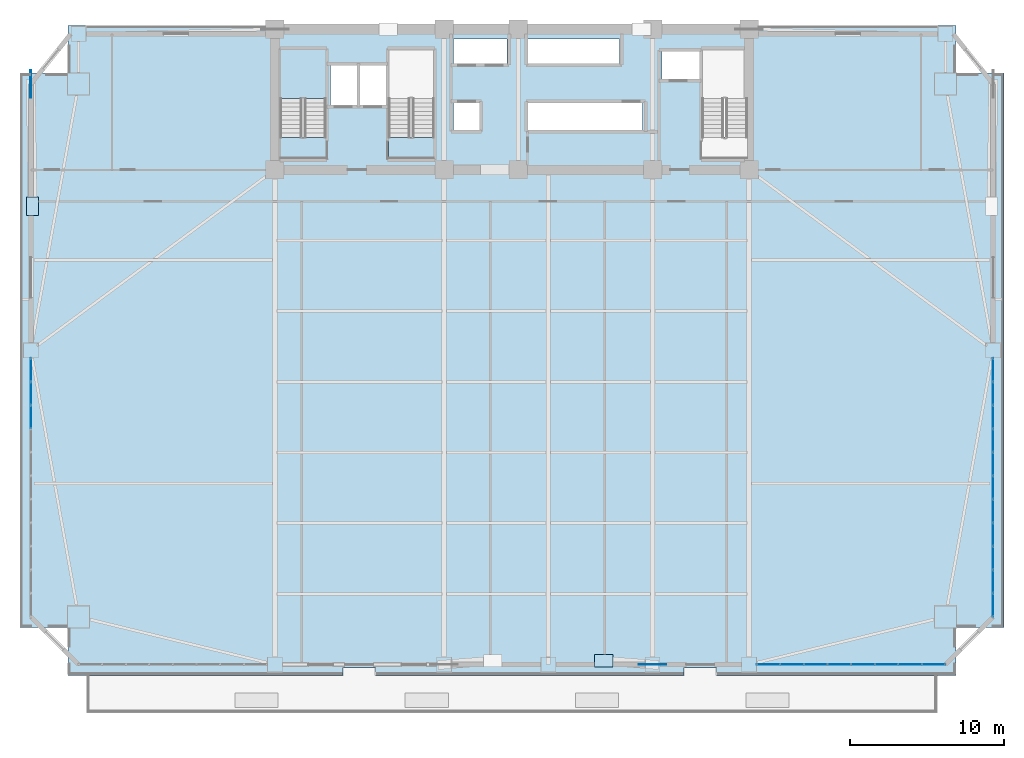
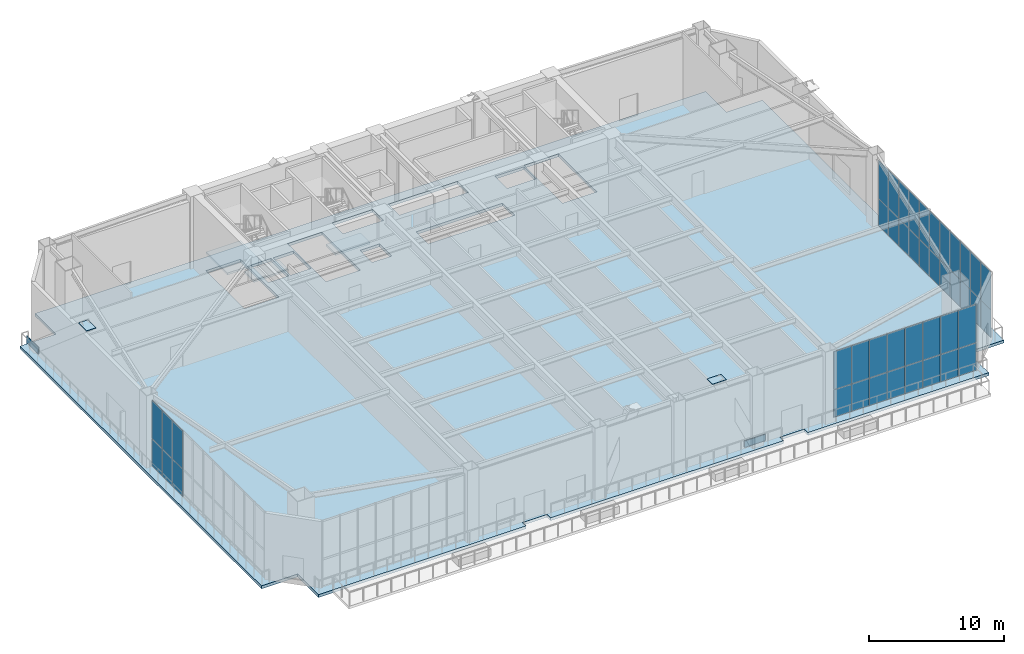
# One storey, part 13 of 22: 48 plates, 4 slabs, 5 elements without a shape of their own.
"""IFC4 building model written with IfcOpenShell, lengths in metres."""

from ifc_helpers import new_model, si_unit, direction, frame, origin, origin_2d, place, context, subcontext, project, spatial, polyline, rectangle, outline, extrude, source, transform, mapped, material, layer, layer_set, type_object, element, aggregate, save


model = new_model("IFC4")

# Units and contexts
model_context = context("Model", 3, precision=1e-05, world=origin(), true_north=direction((0.0, 1.0)))
body_context = subcontext(model_context, "Body", "Model", "MODEL_VIEW")
ifc_project = project(units=[si_unit("LENGTHUNIT", "METRE"), si_unit("AREAUNIT", "SQUARE_METRE"), si_unit("VOLUMEUNIT", "CUBIC_METRE"), si_unit("PLANEANGLEUNIT", "RADIAN"), si_unit("MASSUNIT", "GRAM", prefix="KILO")], contexts=[model_context])

# Site, building, storey
site_placement = place(None, origin())
site = spatial("IfcSite", under=ifc_project, at=site_placement, CompositionType="ELEMENT")
building_placement = place(site_placement, origin())
building = spatial("IfcBuilding", under=site, at=building_placement, Name="Giltprow Tower", CompositionType="ELEMENT")
storey_placement = place(building_placement, frame((0.0, 0.0, 72.800048828125)))
storey = spatial("IfcBuildingStorey", under=building, at=storey_placement, Name="L18", CompositionType="ELEMENT", Elevation=72.800048828125)

# Slab
ifc_material_1 = material(Name="Concrete C40", Category="concrete")
ifc_layer_1 = layer(ifc_material_1, 0.260009765625, Name="Concrete C40")
ifc_layer_set_1 = layer_set([ifc_layer_1], Name="Concrete C40")
slab_type_1 = type_object("IfcSlabType", Name="SLB-SG-260", PredefinedType="FLOOR", material=ifc_layer_set_1)
slab_1_placement = place(storey_placement, frame((0.0, 0.0, -0.260009765625)))
element("IfcSlab", 1, at=slab_1_placement, inside=storey, type_object=slab_type_1, Name="L18 Structural Composite Floor Slab", PredefinedType="FLOOR", context=body_context, shape_type="SweptSolid", body=[
    extrude(outline(polyline([(6.43603515625, 4.708984375), (6.43603515625, 7.804931640625), (3.340087890625, 7.804931640625), (3.340087890625, 43.7041015625), (6.43603515625, 43.7041015625), (6.43603515625, 46.800048828125), (63.965087890625, 46.800048828125), (63.965087890625, 43.7041015625), (67.06103515625, 43.7041015625), (67.06103515625, 7.804931640625), (63.965087890625, 7.804931640625), (63.965087890625, 4.708984375), (48.449951171875, 4.708984375), (48.449951171875, 5.22900390625), (46.35009765625, 5.22900390625), (46.35009765625, 4.708984375), (26.35009765625, 4.708984375), (26.35009765625, 5.22900390625), (24.25, 5.22900390625), (24.25, 4.708984375), (6.43603515625, 4.708984375)]), holes=[polyline([(33.10009765625, 41.800048828125), (31.419921875, 41.800048828125), (31.419921875, 40.0), (33.10009765625, 40.0), (33.10009765625, 41.800048828125)]), polyline([(23.159912109375, 39.570068359375), (23.159912109375, 45.25), (20.199951171875, 45.25), (20.199951171875, 39.570068359375), (23.159912109375, 39.570068359375)]), polyline([(30.159912109375, 45.25), (27.199951171875, 45.25), (27.199951171875, 39.570068359375), (30.159912109375, 39.570068359375), (30.159912109375, 45.25)]), polyline([(25.169921875, 41.60009765625), (25.169921875, 44.199951171875), (23.449951171875, 44.199951171875), (23.449951171875, 41.60009765625), (25.169921875, 41.60009765625)]), polyline([(27.10009765625, 41.60009765625), (27.10009765625, 44.199951171875), (25.35009765625, 44.199951171875), (25.35009765625, 41.60009765625), (27.10009765625, 41.60009765625)]), polyline([(43.659912109375, 40.0), (43.659912109375, 41.800048828125), (36.239990234375, 41.800048828125), (36.239990234375, 40.0), (43.659912109375, 40.0)]), polyline([(50.4599609375, 39.570068359375), (50.4599609375, 45.25), (47.5, 45.25), (47.5, 39.570068359375), (50.4599609375, 39.570068359375)]), polyline([(47.3798828125, 45.10009765625), (44.919921875, 45.10009765625), (44.919921875, 43.300048828125), (47.3798828125, 43.300048828125), (47.3798828125, 45.10009765625)]), polyline([(34.8798828125, 44.300048828125), (34.8798828125, 45.919921875), (31.419921875, 45.919921875), (31.419921875, 44.300048828125), (34.8798828125, 44.300048828125)]), polyline([(42.169921875, 44.300048828125), (42.169921875, 45.919921875), (36.239990234375, 45.919921875), (36.239990234375, 44.300048828125), (42.169921875, 44.300048828125)])]), origin(), (0.0, 0.0, 1.0), 0.260009765625),
])

# Stair, slabs
stair_type_1 = type_object("IfcStairType", Name="STR-ST-1", PredefinedType="HALF_TURN_STAIR", material=ifc_material_1)
stair_1_placement = place(storey_placement, origin())
stair_1 = element("IfcStair", 2, at=stair_1_placement, inside=storey, type_object=stair_type_1, Name="L18 Core Exit Stair ST-1", PredefinedType="HALF_TURN_STAIR")
ifc_layer_2 = layer(ifc_material_1, 0.179931640625, Name="Concrete C40")
ifc_layer_set_2 = layer_set([ifc_layer_2], Name="Concrete C40")
slab_type_2 = type_object("IfcSlabType", Name="SLD-ST-1", PredefinedType="LANDING", material=ifc_layer_set_2)
slab_2_placement = place(storey_placement, frame((0.0, 0.0, 1.52001953125)))
slab_2 = element("IfcSlab", 3, at=slab_2_placement, type_object=slab_type_2, Name="ST-1 landing 1", PredefinedType="LANDING", context=body_context, shape_type="SweptSolid", body=[
    extrude(outline(polyline([(23.159912109375, 42.070068359375), (23.159912109375, 45.25), (20.199951171875, 45.25), (20.199951171875, 42.070068359375), (23.159912109375, 42.070068359375)])), origin(), (0.0, 0.0, 1.0), 0.179931640625),
])
slab_3_placement = place(storey_placement, frame((0.0, 0.0, 3.219970703125)))
slab_3 = element("IfcSlab", 4, at=slab_3_placement, type_object=slab_type_2, Name="ST-1 landing 2", PredefinedType="LANDING", context=body_context, shape_type="SweptSolid", body=[
    extrude(outline(polyline([(23.159912109375, 38.14990234375), (23.159912109375, 39.550048828125), (20.199951171875, 39.550048828125), (20.199951171875, 38.14990234375), (23.159912109375, 38.14990234375)])), origin(), (0.0, 0.0, 1.0), 0.179931640625),
])
aggregate(stair_1, [slab_2, slab_3])

# Stair, slab
stair_type_2 = type_object("IfcStairType", Name="STR-ST-2", PredefinedType="HALF_TURN_STAIR", material=ifc_material_1)
stair_2_placement = place(storey_placement, origin())
stair_2 = element("IfcStair", 5, at=stair_2_placement, inside=storey, type_object=stair_type_2, Name="L18 Core Exit Stair ST-2", PredefinedType="HALF_TURN_STAIR")
ifc_layer_3 = layer(ifc_material_1, 0.18798828125, Name="Concrete C40")
ifc_layer_set_3 = layer_set([ifc_layer_3], Name="Concrete C40")
slab_type_3 = type_object("IfcSlabType", Name="SLD-ST-2", PredefinedType="LANDING", material=ifc_layer_set_3)
slab_4_placement = place(storey_placement, frame((0.0, 0.0, 3.2119140625)))
slab_4 = element("IfcSlab", 6, at=slab_4_placement, type_object=slab_type_3, Name="ST-2 landing 2", PredefinedType="LANDING", context=body_context, shape_type="SweptSolid", body=[
    extrude(outline(polyline([(30.159912109375, 38.14990234375), (30.159912109375, 39.550048828125), (27.199951171875, 39.550048828125), (27.199951171875, 38.14990234375), (30.159912109375, 38.14990234375)])), origin(), (0.0, 0.0, 1.0), 0.18798828125),
])
aggregate(stair_2, [slab_4])

# Plates
ifc_material_2 = material(Name="Structural steel Q420GJC", Category="steel")
plate_type_1 = type_object("IfcPlateType", Name="PLT-NODE-MBN1", PredefinedType="USERDEFINED", material=ifc_material_2)
shared_shape_1 = source(origin(), body_context, "Body", "SweptSolid", [
    extrude(rectangle(XDim=1.800048828125, YDim=0.050048828125, at=origin_2d()), origin(), (0.0, 0.0, 1.0), 1.14990234375),
])
for number, where, z_axis, x_axis, name in (
    (7, (44.300048828125, 5.408935546875, -0.574951171875), (0.0, 0.0, 1.0), (1.0, 0.0, 0.0), "Mega-Brace Node L18-S-RA"),
    (8, (4.0400390625, 43.00390625, -0.574951171875), (0.0, 0.0, 1.0), (0.0, 1.0, 0.0), "Mega-Brace Node L18-W-RA"),
):
    element("IfcPlate", number, at=place(storey_placement, frame(where, z_axis=z_axis, x_axis=x_axis)), inside=storey, type_object=plate_type_1, Name=name, ObjectType="GUSSET", PredefinedType="USERDEFINED", context=body_context, shape_type="MappedRepresentation", body=[
        mapped(shared_shape_1, transform((0.0, 0.0, 0.0), x_axis=(1.0, 0.0, 0.0), y_axis=(0.0, 1.0, 0.0), z_axis=(0.0, 0.0, 1.0), scale=1.0)),
    ])
plate_type_2 = type_object("IfcPlateType", Name="PLT-CAP-SEAL", PredefinedType="USERDEFINED", material=ifc_material_2)
shared_shape_2 = source(origin(), body_context, "Body", "SweptSolid", [
    extrude(rectangle(XDim=1.199951171875, YDim=0.800048828125, at=origin_2d()), origin(), (0.0, 0.0, 1.0), 0.034912109375),
])
for number, where, z_axis, x_axis, name in (
    (9, (41.156005859375, 5.654052734375, 6.78271484375), (0.0, 0.0, 1.0), (1.0, 0.0, 0.0), "Mega-Brace Node L18-S-RB"),
    (10, (4.14892578125, 35.093017578125, 6.78271484375), (0.0, 0.0, 1.0), (0.0, 1.0, 0.0), "Mega-Brace Node L18-W-RB"),
):
    element("IfcPlate", number, at=place(storey_placement, frame(where, z_axis=z_axis, x_axis=x_axis)), inside=storey, type_object=plate_type_2, Name=name, ObjectType="SPLICE", PredefinedType="USERDEFINED", context=body_context, shape_type="MappedRepresentation", body=[
        mapped(shared_shape_2, transform((0.0, 0.0, 0.0), x_axis=(1.0, 0.0, 0.0), y_axis=(0.0, 1.0, 0.0), z_axis=(0.0, 0.0, 1.0), scale=1.0)),
    ])

# Curtain wall, plates
ifc_material_3 = material(Name="Anodized bronze", Category="metal")
ifc_layer_4 = layer(ifc_material_3, 0.179931640625, Name="Anodized bronze")
ifc_layer_set_4 = layer_set([ifc_layer_4], Name="Anodized bronze")
curtain_wall_type = type_object("IfcCurtainWallType", Name="CW-SKYGARDEN", PredefinedType="NOTDEFINED", material=ifc_layer_set_4)
curtain_wall_1_placement = place(storey_placement, origin())
curtain_wall_1 = element("IfcCurtainWall", 11, at=curtain_wall_1_placement, inside=storey, type_object=curtain_wall_type, Name="L18 South Recessed Curtain Wall 6", PredefinedType="NOTDEFINED")
ifc_material_4 = material(Name="Insulated glass", Category="glass")
plate_type_3 = type_object("IfcPlateType", Name="CW-PANEL-IGU-28", PredefinedType="CURTAIN_PANEL", material=ifc_material_4)
shared_shape_3 = source(origin(), body_context, "Body", "SweptSolid", [
    extrude(rectangle(XDim=1.4970703125, YDim=0.028076171875, at=origin_2d()), origin(), (0.0, 0.0, 1.0), 2.47705078125),
])
plate_1_placement = place(storey_placement, frame((51.81298828125, 5.408935546875, 0.054443359375), z_axis=(0.0, 0.0, 1.0), x_axis=(1.0, 0.0, 0.0)))
plate_1 = element("IfcPlate", 12, at=plate_1_placement, type_object=plate_type_3, Name="L18 South Recessed Curtain Wall 6 Glazing Panel 1-1", PredefinedType="CURTAIN_PANEL", context=body_context, shape_type="MappedRepresentation", body=[
    mapped(shared_shape_3, transform((0.0, 0.0, 0.0), x_axis=(1.0, 0.0, 0.0), y_axis=(0.0, 1.0, 0.0), z_axis=(0.0, 0.0, 1.0), scale=1.0)),
])
plate_2_placement = place(storey_placement, frame((53.340087890625, 5.408935546875, 0.054443359375), z_axis=(0.0, 0.0, 1.0), x_axis=(1.0, 0.0, 0.0)))
plate_2 = element("IfcPlate", 13, at=plate_2_placement, type_object=plate_type_3, Name="L18 South Recessed Curtain Wall 6 Glazing Panel 2-1", PredefinedType="CURTAIN_PANEL", context=body_context, shape_type="MappedRepresentation", body=[
    mapped(shared_shape_3, transform((0.0, 0.0, 0.0), x_axis=(1.0, 0.0, 0.0), y_axis=(0.0, 1.0, 0.0), z_axis=(0.0, 0.0, 1.0), scale=1.0)),
])
plate_3_placement = place(storey_placement, frame((54.866943359375, 5.408935546875, 0.054443359375), z_axis=(0.0, 0.0, 1.0), x_axis=(1.0, 0.0, 0.0)))
plate_3 = element("IfcPlate", 14, at=plate_3_placement, type_object=plate_type_3, Name="L18 South Recessed Curtain Wall 6 Glazing Panel 3-1", PredefinedType="CURTAIN_PANEL", context=body_context, shape_type="MappedRepresentation", body=[
    mapped(shared_shape_3, transform((0.0, 0.0, 0.0), x_axis=(1.0, 0.0, 0.0), y_axis=(0.0, 1.0, 0.0), z_axis=(0.0, 0.0, 1.0), scale=1.0)),
])
plate_4_placement = place(storey_placement, frame((56.39404296875, 5.408935546875, 0.054443359375), z_axis=(0.0, 0.0, 1.0), x_axis=(1.0, 0.0, 0.0)))
plate_4 = element("IfcPlate", 15, at=plate_4_placement, type_object=plate_type_3, Name="L18 South Recessed Curtain Wall 6 Glazing Panel 4-1", PredefinedType="CURTAIN_PANEL", context=body_context, shape_type="MappedRepresentation", body=[
    mapped(shared_shape_3, transform((0.0, 0.0, 0.0), x_axis=(1.0, 0.0, 0.0), y_axis=(0.0, 1.0, 0.0), z_axis=(0.0, 0.0, 1.0), scale=1.0)),
])
plate_5_placement = place(storey_placement, frame((57.9208984375, 5.408935546875, 0.054443359375), z_axis=(0.0, 0.0, 1.0), x_axis=(1.0, 0.0, 0.0)))
plate_5 = element("IfcPlate", 16, at=plate_5_placement, type_object=plate_type_3, Name="L18 South Recessed Curtain Wall 6 Glazing Panel 5-1", PredefinedType="CURTAIN_PANEL", context=body_context, shape_type="MappedRepresentation", body=[
    mapped(shared_shape_3, transform((0.0, 0.0, 0.0), x_axis=(1.0, 0.0, 0.0), y_axis=(0.0, 1.0, 0.0), z_axis=(0.0, 0.0, 1.0), scale=1.0)),
])
plate_6_placement = place(storey_placement, frame((59.447998046875, 5.408935546875, 0.054443359375), z_axis=(0.0, 0.0, 1.0), x_axis=(1.0, 0.0, 0.0)))
plate_6 = element("IfcPlate", 17, at=plate_6_placement, type_object=plate_type_3, Name="L18 South Recessed Curtain Wall 6 Glazing Panel 6-1", PredefinedType="CURTAIN_PANEL", context=body_context, shape_type="MappedRepresentation", body=[
    mapped(shared_shape_3, transform((0.0, 0.0, 0.0), x_axis=(1.0, 0.0, 0.0), y_axis=(0.0, 1.0, 0.0), z_axis=(0.0, 0.0, 1.0), scale=1.0)),
])
plate_7_placement = place(storey_placement, frame((60.97509765625, 5.408935546875, 0.054443359375), z_axis=(0.0, 0.0, 1.0), x_axis=(1.0, 0.0, 0.0)))
plate_7 = element("IfcPlate", 18, at=plate_7_placement, type_object=plate_type_3, Name="L18 South Recessed Curtain Wall 6 Glazing Panel 7-1", PredefinedType="CURTAIN_PANEL", context=body_context, shape_type="MappedRepresentation", body=[
    mapped(shared_shape_3, transform((0.0, 0.0, 0.0), x_axis=(1.0, 0.0, 0.0), y_axis=(0.0, 1.0, 0.0), z_axis=(0.0, 0.0, 1.0), scale=1.0)),
])
plate_8_placement = place(storey_placement, frame((62.501953125, 5.408935546875, 0.054443359375), z_axis=(0.0, 0.0, 1.0), x_axis=(1.0, 0.0, 0.0)))
plate_8 = element("IfcPlate", 19, at=plate_8_placement, type_object=plate_type_3, Name="L18 South Recessed Curtain Wall 6 Glazing Panel 8-1", PredefinedType="CURTAIN_PANEL", context=body_context, shape_type="MappedRepresentation", body=[
    mapped(shared_shape_3, transform((0.0, 0.0, 0.0), x_axis=(1.0, 0.0, 0.0), y_axis=(0.0, 1.0, 0.0), z_axis=(0.0, 0.0, 1.0), scale=1.0)),
])
shared_shape_4 = source(origin(), body_context, "Body", "SweptSolid", [
    extrude(rectangle(XDim=1.4970703125, YDim=0.028076171875, at=origin_2d()), origin(), (0.0, 0.0, 1.0), 3.447021484375),
])
plate_9_placement = place(storey_placement, frame((51.81298828125, 5.408935546875, 2.55859375), z_axis=(0.0, 0.0, 1.0), x_axis=(1.0, 0.0, 0.0)))
plate_9 = element("IfcPlate", 20, at=plate_9_placement, type_object=plate_type_3, Name="L18 South Recessed Curtain Wall 6 Glazing Panel 1-2", PredefinedType="CURTAIN_PANEL", context=body_context, shape_type="MappedRepresentation", body=[
    mapped(shared_shape_4, transform((0.0, 0.0, 0.0), x_axis=(1.0, 0.0, 0.0), y_axis=(0.0, 1.0, 0.0), z_axis=(0.0, 0.0, 1.0), scale=1.0)),
])
plate_10_placement = place(storey_placement, frame((53.340087890625, 5.408935546875, 2.55859375), z_axis=(0.0, 0.0, 1.0), x_axis=(1.0, 0.0, 0.0)))
plate_10 = element("IfcPlate", 21, at=plate_10_placement, type_object=plate_type_3, Name="L18 South Recessed Curtain Wall 6 Glazing Panel 2-2", PredefinedType="CURTAIN_PANEL", context=body_context, shape_type="MappedRepresentation", body=[
    mapped(shared_shape_4, transform((0.0, 0.0, 0.0), x_axis=(1.0, 0.0, 0.0), y_axis=(0.0, 1.0, 0.0), z_axis=(0.0, 0.0, 1.0), scale=1.0)),
])
plate_11_placement = place(storey_placement, frame((54.866943359375, 5.408935546875, 2.55859375), z_axis=(0.0, 0.0, 1.0), x_axis=(1.0, 0.0, 0.0)))
plate_11 = element("IfcPlate", 22, at=plate_11_placement, type_object=plate_type_3, Name="L18 South Recessed Curtain Wall 6 Glazing Panel 3-2", PredefinedType="CURTAIN_PANEL", context=body_context, shape_type="MappedRepresentation", body=[
    mapped(shared_shape_4, transform((0.0, 0.0, 0.0), x_axis=(1.0, 0.0, 0.0), y_axis=(0.0, 1.0, 0.0), z_axis=(0.0, 0.0, 1.0), scale=1.0)),
])
plate_12_placement = place(storey_placement, frame((56.39404296875, 5.408935546875, 2.55859375), z_axis=(0.0, 0.0, 1.0), x_axis=(1.0, 0.0, 0.0)))
plate_12 = element("IfcPlate", 23, at=plate_12_placement, type_object=plate_type_3, Name="L18 South Recessed Curtain Wall 6 Glazing Panel 4-2", PredefinedType="CURTAIN_PANEL", context=body_context, shape_type="MappedRepresentation", body=[
    mapped(shared_shape_4, transform((0.0, 0.0, 0.0), x_axis=(1.0, 0.0, 0.0), y_axis=(0.0, 1.0, 0.0), z_axis=(0.0, 0.0, 1.0), scale=1.0)),
])
plate_13_placement = place(storey_placement, frame((57.9208984375, 5.408935546875, 2.55859375), z_axis=(0.0, 0.0, 1.0), x_axis=(1.0, 0.0, 0.0)))
plate_13 = element("IfcPlate", 24, at=plate_13_placement, type_object=plate_type_3, Name="L18 South Recessed Curtain Wall 6 Glazing Panel 5-2", PredefinedType="CURTAIN_PANEL", context=body_context, shape_type="MappedRepresentation", body=[
    mapped(shared_shape_4, transform((0.0, 0.0, 0.0), x_axis=(1.0, 0.0, 0.0), y_axis=(0.0, 1.0, 0.0), z_axis=(0.0, 0.0, 1.0), scale=1.0)),
])
plate_14_placement = place(storey_placement, frame((59.447998046875, 5.408935546875, 2.55859375), z_axis=(0.0, 0.0, 1.0), x_axis=(1.0, 0.0, 0.0)))
plate_14 = element("IfcPlate", 25, at=plate_14_placement, type_object=plate_type_3, Name="L18 South Recessed Curtain Wall 6 Glazing Panel 6-2", PredefinedType="CURTAIN_PANEL", context=body_context, shape_type="MappedRepresentation", body=[
    mapped(shared_shape_4, transform((0.0, 0.0, 0.0), x_axis=(1.0, 0.0, 0.0), y_axis=(0.0, 1.0, 0.0), z_axis=(0.0, 0.0, 1.0), scale=1.0)),
])
plate_15_placement = place(storey_placement, frame((60.97509765625, 5.408935546875, 2.55859375), z_axis=(0.0, 0.0, 1.0), x_axis=(1.0, 0.0, 0.0)))
plate_15 = element("IfcPlate", 26, at=plate_15_placement, type_object=plate_type_3, Name="L18 South Recessed Curtain Wall 6 Glazing Panel 7-2", PredefinedType="CURTAIN_PANEL", context=body_context, shape_type="MappedRepresentation", body=[
    mapped(shared_shape_4, transform((0.0, 0.0, 0.0), x_axis=(1.0, 0.0, 0.0), y_axis=(0.0, 1.0, 0.0), z_axis=(0.0, 0.0, 1.0), scale=1.0)),
])
plate_16_placement = place(storey_placement, frame((62.501953125, 5.408935546875, 2.55859375), z_axis=(0.0, 0.0, 1.0), x_axis=(1.0, 0.0, 0.0)))
plate_16 = element("IfcPlate", 27, at=plate_16_placement, type_object=plate_type_3, Name="L18 South Recessed Curtain Wall 6 Glazing Panel 8-2", PredefinedType="CURTAIN_PANEL", context=body_context, shape_type="MappedRepresentation", body=[
    mapped(shared_shape_4, transform((0.0, 0.0, 0.0), x_axis=(1.0, 0.0, 0.0), y_axis=(0.0, 1.0, 0.0), z_axis=(0.0, 0.0, 1.0), scale=1.0)),
])
aggregate(curtain_wall_1, [plate_1, plate_9, plate_2, plate_10, plate_3, plate_11, plate_4, plate_12, plate_5, plate_13, plate_6, plate_14, plate_7, plate_15, plate_8, plate_16])

curtain_wall_2_placement = place(storey_placement, origin())
curtain_wall_2 = element("IfcCurtainWall", 28, at=curtain_wall_2_placement, inside=storey, type_object=curtain_wall_type, Name="L18 W Sky Garden Glazing", PredefinedType="NOTDEFINED")
shared_shape_5 = source(origin(), body_context, "Body", "SweptSolid", [
    extrude(rectangle(XDim=1.492919921875, YDim=0.028076171875, at=origin_2d()), origin(), (0.0, 0.0, 1.0), 2.47705078125),
])
plate_17_placement = place(storey_placement, frame((4.0400390625, 21.447998046875, 0.054443359375), z_axis=(0.0, 0.0, 1.0), x_axis=(0.0, 1.0, 0.0)))
plate_17 = element("IfcPlate", 29, at=plate_17_placement, type_object=plate_type_3, Name="L18 W Sky Garden Glazing Glazing Panel 9-1", PredefinedType="CURTAIN_PANEL", context=body_context, shape_type="MappedRepresentation", body=[
    mapped(shared_shape_5, transform((0.0, 0.0, 0.0), x_axis=(1.0, 0.0, 0.0), y_axis=(0.0, 1.0, 0.0), z_axis=(0.0, 0.0, 1.0), scale=1.0)),
])
plate_18_placement = place(storey_placement, frame((4.0400390625, 22.970947265625, 0.054443359375), z_axis=(0.0, 0.0, 1.0), x_axis=(0.0, 1.0, 0.0)))
plate_18 = element("IfcPlate", 30, at=plate_18_placement, type_object=plate_type_3, Name="L18 W Sky Garden Glazing Glazing Panel 10-1", PredefinedType="CURTAIN_PANEL", context=body_context, shape_type="MappedRepresentation", body=[
    mapped(shared_shape_5, transform((0.0, 0.0, 0.0), x_axis=(1.0, 0.0, 0.0), y_axis=(0.0, 1.0, 0.0), z_axis=(0.0, 0.0, 1.0), scale=1.0)),
])
plate_19_placement = place(storey_placement, frame((4.0400390625, 24.493896484375, 0.054443359375), z_axis=(0.0, 0.0, 1.0), x_axis=(0.0, 1.0, 0.0)))
plate_19 = element("IfcPlate", 31, at=plate_19_placement, type_object=plate_type_3, Name="L18 W Sky Garden Glazing Glazing Panel 11-1", PredefinedType="CURTAIN_PANEL", context=body_context, shape_type="MappedRepresentation", body=[
    mapped(shared_shape_5, transform((0.0, 0.0, 0.0), x_axis=(1.0, 0.0, 0.0), y_axis=(0.0, 1.0, 0.0), z_axis=(0.0, 0.0, 1.0), scale=1.0)),
])

curtain_wall_3_placement = place(storey_placement, origin())
curtain_wall_3 = element("IfcCurtainWall", 32, at=curtain_wall_3_placement, inside=storey, type_object=curtain_wall_type, Name="L18 E Sky Garden Glazing", PredefinedType="NOTDEFINED")
plate_20_placement = place(storey_placement, frame((66.361083984375, 9.26611328125, 0.054443359375), z_axis=(0.0, 0.0, 1.0), x_axis=(0.0, 1.0, 0.0)))
plate_20 = element("IfcPlate", 33, at=plate_20_placement, type_object=plate_type_3, Name="L18 E Sky Garden Glazing Glazing Panel 1-1", PredefinedType="CURTAIN_PANEL", context=body_context, shape_type="MappedRepresentation", body=[
    mapped(shared_shape_5, transform((0.0, 0.0, 0.0), x_axis=(1.0, 0.0, 0.0), y_axis=(0.0, 1.0, 0.0), z_axis=(0.0, 0.0, 1.0), scale=1.0)),
])
plate_21_placement = place(storey_placement, frame((66.361083984375, 10.7890625, 0.054443359375), z_axis=(0.0, 0.0, 1.0), x_axis=(0.0, 1.0, 0.0)))
plate_21 = element("IfcPlate", 34, at=plate_21_placement, type_object=plate_type_3, Name="L18 E Sky Garden Glazing Glazing Panel 2-1", PredefinedType="CURTAIN_PANEL", context=body_context, shape_type="MappedRepresentation", body=[
    mapped(shared_shape_5, transform((0.0, 0.0, 0.0), x_axis=(1.0, 0.0, 0.0), y_axis=(0.0, 1.0, 0.0), z_axis=(0.0, 0.0, 1.0), scale=1.0)),
])
plate_22_placement = place(storey_placement, frame((66.361083984375, 12.31201171875, 0.054443359375), z_axis=(0.0, 0.0, 1.0), x_axis=(0.0, 1.0, 0.0)))
plate_22 = element("IfcPlate", 35, at=plate_22_placement, type_object=plate_type_3, Name="L18 E Sky Garden Glazing Glazing Panel 3-1", PredefinedType="CURTAIN_PANEL", context=body_context, shape_type="MappedRepresentation", body=[
    mapped(shared_shape_5, transform((0.0, 0.0, 0.0), x_axis=(1.0, 0.0, 0.0), y_axis=(0.0, 1.0, 0.0), z_axis=(0.0, 0.0, 1.0), scale=1.0)),
])
plate_23_placement = place(storey_placement, frame((66.361083984375, 13.8349609375, 0.054443359375), z_axis=(0.0, 0.0, 1.0), x_axis=(0.0, 1.0, 0.0)))
plate_23 = element("IfcPlate", 36, at=plate_23_placement, type_object=plate_type_3, Name="L18 E Sky Garden Glazing Glazing Panel 4-1", PredefinedType="CURTAIN_PANEL", context=body_context, shape_type="MappedRepresentation", body=[
    mapped(shared_shape_5, transform((0.0, 0.0, 0.0), x_axis=(1.0, 0.0, 0.0), y_axis=(0.0, 1.0, 0.0), z_axis=(0.0, 0.0, 1.0), scale=1.0)),
])
plate_24_placement = place(storey_placement, frame((66.361083984375, 15.35693359375, 0.054443359375), z_axis=(0.0, 0.0, 1.0), x_axis=(0.0, 1.0, 0.0)))
plate_24 = element("IfcPlate", 37, at=plate_24_placement, type_object=plate_type_3, Name="L18 E Sky Garden Glazing Glazing Panel 5-1", PredefinedType="CURTAIN_PANEL", context=body_context, shape_type="MappedRepresentation", body=[
    mapped(shared_shape_5, transform((0.0, 0.0, 0.0), x_axis=(1.0, 0.0, 0.0), y_axis=(0.0, 1.0, 0.0), z_axis=(0.0, 0.0, 1.0), scale=1.0)),
])
plate_25_placement = place(storey_placement, frame((66.361083984375, 16.8798828125, 0.054443359375), z_axis=(0.0, 0.0, 1.0), x_axis=(0.0, 1.0, 0.0)))
plate_25 = element("IfcPlate", 38, at=plate_25_placement, type_object=plate_type_3, Name="L18 E Sky Garden Glazing Glazing Panel 6-1", PredefinedType="CURTAIN_PANEL", context=body_context, shape_type="MappedRepresentation", body=[
    mapped(shared_shape_5, transform((0.0, 0.0, 0.0), x_axis=(1.0, 0.0, 0.0), y_axis=(0.0, 1.0, 0.0), z_axis=(0.0, 0.0, 1.0), scale=1.0)),
])
plate_26_placement = place(storey_placement, frame((66.361083984375, 18.403076171875, 0.054443359375), z_axis=(0.0, 0.0, 1.0), x_axis=(0.0, 1.0, 0.0)))
plate_26 = element("IfcPlate", 39, at=plate_26_placement, type_object=plate_type_3, Name="L18 E Sky Garden Glazing Glazing Panel 7-1", PredefinedType="CURTAIN_PANEL", context=body_context, shape_type="MappedRepresentation", body=[
    mapped(shared_shape_5, transform((0.0, 0.0, 0.0), x_axis=(1.0, 0.0, 0.0), y_axis=(0.0, 1.0, 0.0), z_axis=(0.0, 0.0, 1.0), scale=1.0)),
])
plate_27_placement = place(storey_placement, frame((66.361083984375, 19.925048828125, 0.054443359375), z_axis=(0.0, 0.0, 1.0), x_axis=(0.0, 1.0, 0.0)))
plate_27 = element("IfcPlate", 40, at=plate_27_placement, type_object=plate_type_3, Name="L18 E Sky Garden Glazing Glazing Panel 8-1", PredefinedType="CURTAIN_PANEL", context=body_context, shape_type="MappedRepresentation", body=[
    mapped(shared_shape_5, transform((0.0, 0.0, 0.0), x_axis=(1.0, 0.0, 0.0), y_axis=(0.0, 1.0, 0.0), z_axis=(0.0, 0.0, 1.0), scale=1.0)),
])
plate_28_placement = place(storey_placement, frame((66.361083984375, 21.447998046875, 0.054443359375), z_axis=(0.0, 0.0, 1.0), x_axis=(0.0, 1.0, 0.0)))
plate_28 = element("IfcPlate", 41, at=plate_28_placement, type_object=plate_type_3, Name="L18 E Sky Garden Glazing Glazing Panel 9-1", PredefinedType="CURTAIN_PANEL", context=body_context, shape_type="MappedRepresentation", body=[
    mapped(shared_shape_5, transform((0.0, 0.0, 0.0), x_axis=(1.0, 0.0, 0.0), y_axis=(0.0, 1.0, 0.0), z_axis=(0.0, 0.0, 1.0), scale=1.0)),
])
plate_29_placement = place(storey_placement, frame((66.361083984375, 22.970947265625, 0.054443359375), z_axis=(0.0, 0.0, 1.0), x_axis=(0.0, 1.0, 0.0)))
plate_29 = element("IfcPlate", 42, at=plate_29_placement, type_object=plate_type_3, Name="L18 E Sky Garden Glazing Glazing Panel 10-1", PredefinedType="CURTAIN_PANEL", context=body_context, shape_type="MappedRepresentation", body=[
    mapped(shared_shape_5, transform((0.0, 0.0, 0.0), x_axis=(1.0, 0.0, 0.0), y_axis=(0.0, 1.0, 0.0), z_axis=(0.0, 0.0, 1.0), scale=1.0)),
])
plate_30_placement = place(storey_placement, frame((66.361083984375, 24.493896484375, 0.054443359375), z_axis=(0.0, 0.0, 1.0), x_axis=(0.0, 1.0, 0.0)))
plate_30 = element("IfcPlate", 43, at=plate_30_placement, type_object=plate_type_3, Name="L18 E Sky Garden Glazing Glazing Panel 11-1", PredefinedType="CURTAIN_PANEL", context=body_context, shape_type="MappedRepresentation", body=[
    mapped(shared_shape_5, transform((0.0, 0.0, 0.0), x_axis=(1.0, 0.0, 0.0), y_axis=(0.0, 1.0, 0.0), z_axis=(0.0, 0.0, 1.0), scale=1.0)),
])

# Plate
shared_shape_6 = source(origin(), body_context, "Body", "SweptSolid", [
    extrude(rectangle(XDim=1.492919921875, YDim=0.028076171875, at=origin_2d()), origin(), (0.0, 0.0, 1.0), 3.447021484375),
])
plate_31_placement = place(storey_placement, frame((4.0400390625, 21.447998046875, 2.55859375), z_axis=(0.0, 0.0, 1.0), x_axis=(0.0, 1.0, 0.0)))
plate_31 = element("IfcPlate", 44, at=plate_31_placement, type_object=plate_type_3, Name="L18 W Sky Garden Glazing Glazing Panel 9-2", PredefinedType="CURTAIN_PANEL", context=body_context, shape_type="MappedRepresentation", body=[
    mapped(shared_shape_6, transform((0.0, 0.0, 0.0), x_axis=(1.0, 0.0, 0.0), y_axis=(0.0, 1.0, 0.0), z_axis=(0.0, 0.0, 1.0), scale=1.0)),
])

plate_32_placement = place(storey_placement, frame((4.0400390625, 22.970947265625, 2.55859375), z_axis=(0.0, 0.0, 1.0), x_axis=(0.0, 1.0, 0.0)))
plate_32 = element("IfcPlate", 45, at=plate_32_placement, type_object=plate_type_3, Name="L18 W Sky Garden Glazing Glazing Panel 10-2", PredefinedType="CURTAIN_PANEL", context=body_context, shape_type="MappedRepresentation", body=[
    mapped(shared_shape_6, transform((0.0, 0.0, 0.0), x_axis=(1.0, 0.0, 0.0), y_axis=(0.0, 1.0, 0.0), z_axis=(0.0, 0.0, 1.0), scale=1.0)),
])

plate_33_placement = place(storey_placement, frame((4.0400390625, 24.493896484375, 2.55859375), z_axis=(0.0, 0.0, 1.0), x_axis=(0.0, 1.0, 0.0)))
plate_33 = element("IfcPlate", 46, at=plate_33_placement, type_object=plate_type_3, Name="L18 W Sky Garden Glazing Glazing Panel 11-2", PredefinedType="CURTAIN_PANEL", context=body_context, shape_type="MappedRepresentation", body=[
    mapped(shared_shape_6, transform((0.0, 0.0, 0.0), x_axis=(1.0, 0.0, 0.0), y_axis=(0.0, 1.0, 0.0), z_axis=(0.0, 0.0, 1.0), scale=1.0)),
])

aggregate(curtain_wall_2, [plate_17, plate_31, plate_18, plate_32, plate_19, plate_33])

plate_34_placement = place(storey_placement, frame((66.361083984375, 9.26611328125, 2.55859375), z_axis=(0.0, 0.0, 1.0), x_axis=(0.0, 1.0, 0.0)))
plate_34 = element("IfcPlate", 47, at=plate_34_placement, type_object=plate_type_3, Name="L18 E Sky Garden Glazing Glazing Panel 1-2", PredefinedType="CURTAIN_PANEL", context=body_context, shape_type="MappedRepresentation", body=[
    mapped(shared_shape_6, transform((0.0, 0.0, 0.0), x_axis=(1.0, 0.0, 0.0), y_axis=(0.0, 1.0, 0.0), z_axis=(0.0, 0.0, 1.0), scale=1.0)),
])

plate_35_placement = place(storey_placement, frame((66.361083984375, 10.7890625, 2.55859375), z_axis=(0.0, 0.0, 1.0), x_axis=(0.0, 1.0, 0.0)))
plate_35 = element("IfcPlate", 48, at=plate_35_placement, type_object=plate_type_3, Name="L18 E Sky Garden Glazing Glazing Panel 2-2", PredefinedType="CURTAIN_PANEL", context=body_context, shape_type="MappedRepresentation", body=[
    mapped(shared_shape_6, transform((0.0, 0.0, 0.0), x_axis=(1.0, 0.0, 0.0), y_axis=(0.0, 1.0, 0.0), z_axis=(0.0, 0.0, 1.0), scale=1.0)),
])

plate_36_placement = place(storey_placement, frame((66.361083984375, 12.31201171875, 2.55859375), z_axis=(0.0, 0.0, 1.0), x_axis=(0.0, 1.0, 0.0)))
plate_36 = element("IfcPlate", 49, at=plate_36_placement, type_object=plate_type_3, Name="L18 E Sky Garden Glazing Glazing Panel 3-2", PredefinedType="CURTAIN_PANEL", context=body_context, shape_type="MappedRepresentation", body=[
    mapped(shared_shape_6, transform((0.0, 0.0, 0.0), x_axis=(1.0, 0.0, 0.0), y_axis=(0.0, 1.0, 0.0), z_axis=(0.0, 0.0, 1.0), scale=1.0)),
])

plate_37_placement = place(storey_placement, frame((66.361083984375, 13.8349609375, 2.55859375), z_axis=(0.0, 0.0, 1.0), x_axis=(0.0, 1.0, 0.0)))
plate_37 = element("IfcPlate", 50, at=plate_37_placement, type_object=plate_type_3, Name="L18 E Sky Garden Glazing Glazing Panel 4-2", PredefinedType="CURTAIN_PANEL", context=body_context, shape_type="MappedRepresentation", body=[
    mapped(shared_shape_6, transform((0.0, 0.0, 0.0), x_axis=(1.0, 0.0, 0.0), y_axis=(0.0, 1.0, 0.0), z_axis=(0.0, 0.0, 1.0), scale=1.0)),
])

plate_38_placement = place(storey_placement, frame((66.361083984375, 15.35693359375, 2.55859375), z_axis=(0.0, 0.0, 1.0), x_axis=(0.0, 1.0, 0.0)))
plate_38 = element("IfcPlate", 51, at=plate_38_placement, type_object=plate_type_3, Name="L18 E Sky Garden Glazing Glazing Panel 5-2", PredefinedType="CURTAIN_PANEL", context=body_context, shape_type="MappedRepresentation", body=[
    mapped(shared_shape_6, transform((0.0, 0.0, 0.0), x_axis=(1.0, 0.0, 0.0), y_axis=(0.0, 1.0, 0.0), z_axis=(0.0, 0.0, 1.0), scale=1.0)),
])

plate_39_placement = place(storey_placement, frame((66.361083984375, 16.8798828125, 2.55859375), z_axis=(0.0, 0.0, 1.0), x_axis=(0.0, 1.0, 0.0)))
plate_39 = element("IfcPlate", 52, at=plate_39_placement, type_object=plate_type_3, Name="L18 E Sky Garden Glazing Glazing Panel 6-2", PredefinedType="CURTAIN_PANEL", context=body_context, shape_type="MappedRepresentation", body=[
    mapped(shared_shape_6, transform((0.0, 0.0, 0.0), x_axis=(1.0, 0.0, 0.0), y_axis=(0.0, 1.0, 0.0), z_axis=(0.0, 0.0, 1.0), scale=1.0)),
])

plate_40_placement = place(storey_placement, frame((66.361083984375, 18.403076171875, 2.55859375), z_axis=(0.0, 0.0, 1.0), x_axis=(0.0, 1.0, 0.0)))
plate_40 = element("IfcPlate", 53, at=plate_40_placement, type_object=plate_type_3, Name="L18 E Sky Garden Glazing Glazing Panel 7-2", PredefinedType="CURTAIN_PANEL", context=body_context, shape_type="MappedRepresentation", body=[
    mapped(shared_shape_6, transform((0.0, 0.0, 0.0), x_axis=(1.0, 0.0, 0.0), y_axis=(0.0, 1.0, 0.0), z_axis=(0.0, 0.0, 1.0), scale=1.0)),
])

plate_41_placement = place(storey_placement, frame((66.361083984375, 19.925048828125, 2.55859375), z_axis=(0.0, 0.0, 1.0), x_axis=(0.0, 1.0, 0.0)))
plate_41 = element("IfcPlate", 54, at=plate_41_placement, type_object=plate_type_3, Name="L18 E Sky Garden Glazing Glazing Panel 8-2", PredefinedType="CURTAIN_PANEL", context=body_context, shape_type="MappedRepresentation", body=[
    mapped(shared_shape_6, transform((0.0, 0.0, 0.0), x_axis=(1.0, 0.0, 0.0), y_axis=(0.0, 1.0, 0.0), z_axis=(0.0, 0.0, 1.0), scale=1.0)),
])

plate_42_placement = place(storey_placement, frame((66.361083984375, 21.447998046875, 2.55859375), z_axis=(0.0, 0.0, 1.0), x_axis=(0.0, 1.0, 0.0)))
plate_42 = element("IfcPlate", 55, at=plate_42_placement, type_object=plate_type_3, Name="L18 E Sky Garden Glazing Glazing Panel 9-2", PredefinedType="CURTAIN_PANEL", context=body_context, shape_type="MappedRepresentation", body=[
    mapped(shared_shape_6, transform((0.0, 0.0, 0.0), x_axis=(1.0, 0.0, 0.0), y_axis=(0.0, 1.0, 0.0), z_axis=(0.0, 0.0, 1.0), scale=1.0)),
])

plate_43_placement = place(storey_placement, frame((66.361083984375, 22.970947265625, 2.55859375), z_axis=(0.0, 0.0, 1.0), x_axis=(0.0, 1.0, 0.0)))
plate_43 = element("IfcPlate", 56, at=plate_43_placement, type_object=plate_type_3, Name="L18 E Sky Garden Glazing Glazing Panel 10-2", PredefinedType="CURTAIN_PANEL", context=body_context, shape_type="MappedRepresentation", body=[
    mapped(shared_shape_6, transform((0.0, 0.0, 0.0), x_axis=(1.0, 0.0, 0.0), y_axis=(0.0, 1.0, 0.0), z_axis=(0.0, 0.0, 1.0), scale=1.0)),
])

plate_44_placement = place(storey_placement, frame((66.361083984375, 24.493896484375, 2.55859375), z_axis=(0.0, 0.0, 1.0), x_axis=(0.0, 1.0, 0.0)))
plate_44 = element("IfcPlate", 57, at=plate_44_placement, type_object=plate_type_3, Name="L18 E Sky Garden Glazing Glazing Panel 11-2", PredefinedType="CURTAIN_PANEL", context=body_context, shape_type="MappedRepresentation", body=[
    mapped(shared_shape_6, transform((0.0, 0.0, 0.0), x_axis=(1.0, 0.0, 0.0), y_axis=(0.0, 1.0, 0.0), z_axis=(0.0, 0.0, 1.0), scale=1.0)),
])

aggregate(curtain_wall_3, [plate_20, plate_34, plate_21, plate_35, plate_22, plate_36, plate_23, plate_37, plate_24, plate_38, plate_25, plate_39, plate_26, plate_40, plate_27, plate_41, plate_28, plate_42, plate_29, plate_43, plate_30, plate_44])

save(model, "model.ifc")
